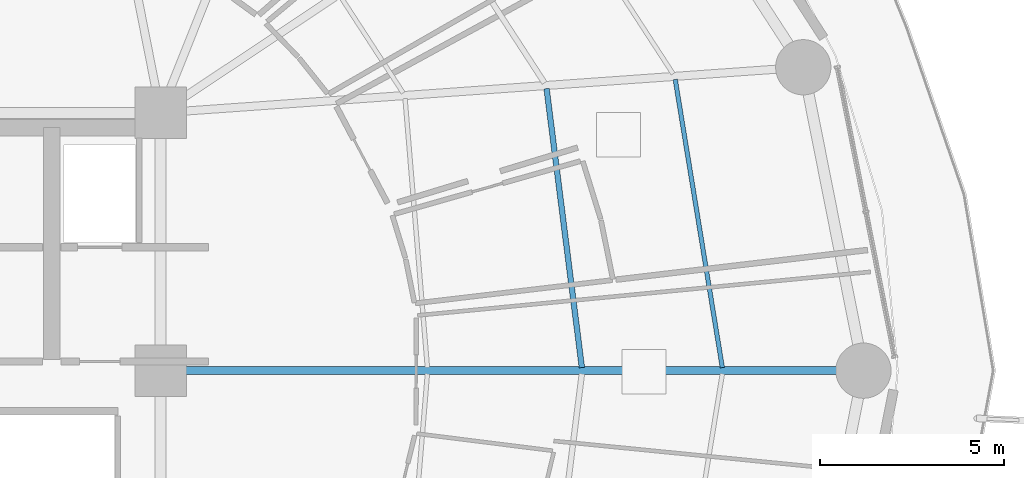
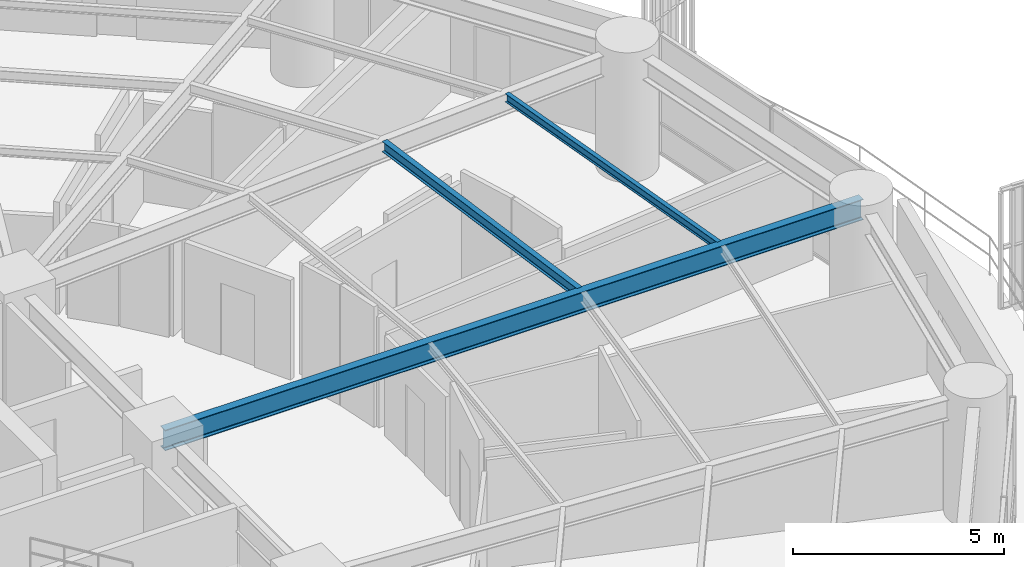
# One storey, part 13 of 33: 3 beams.
"""IFC4 building model written with IfcOpenShell, lengths in metres."""

from ifc_helpers import new_model, si_unit, direction, frame, origin, origin_2d, place, context, subcontext, project, spatial, i_section, extrude, material, material_profile, profile_set, type_object, element, save


model = new_model("IFC4")

# Units and contexts
model_context = context("Model", 3, precision=1e-05, world=origin(), true_north=direction((0.0, 1.0)))
body_context = subcontext(model_context, "Body", "Model", "MODEL_VIEW")
ifc_project = project(units=[si_unit("LENGTHUNIT", "METRE"), si_unit("AREAUNIT", "SQUARE_METRE"), si_unit("VOLUMEUNIT", "CUBIC_METRE"), si_unit("PLANEANGLEUNIT", "RADIAN"), si_unit("MASSUNIT", "GRAM", prefix="KILO")], contexts=[model_context])

# Site, building, storey
site_placement = place(None, origin())
site = spatial("IfcSite", under=ifc_project, at=site_placement, CompositionType="ELEMENT")
building_placement = place(site_placement, origin())
building = spatial("IfcBuilding", under=site, at=building_placement, Name="Kelanora Arch Commons", CompositionType="ELEMENT")
storey_placement = place(building_placement, frame((0.0, 0.0, 45.0)))
storey = spatial("IfcBuildingStorey", under=building, at=storey_placement, Name="L11", CompositionType="ELEMENT", Elevation=45.0)

# Beams
ifc_material = material(Name="Steel S355", Category="steel")
ifc_material_profile_1 = material_profile(ifc_material, i_section(OverallWidth=0.14990234375, OverallDepth=0.300048828125, WebThickness=0.007080078125, FlangeThickness=0.0107421875, FilletRadius=0.014892578125, at=origin_2d()), Name="IPE300")
ifc_profile_set_1 = profile_set([ifc_material_profile_1], Name="Steel S355")
beam_type_1 = type_object("IfcBeamType", Name="BM-JST-01", PredefinedType="JOIST", material=ifc_profile_set_1)
beam_1_placement = place(storey_placement, frame((93.437255859375, 58.084228515625, 3.340087890625), z_axis=(-0.125565841651, 0.992085288375, 0.0), x_axis=(-0.992085288375, -0.125565841651, 0.0)))
element("IfcBeam", 1, at=beam_1_placement, inside=storey, type_object=beam_type_1, Name="Secondary Chord Joist BJB-00 L11", PredefinedType="JOIST", context=body_context, shape_type="SweptSolid", body=[
    extrude(i_section(OverallWidth=0.14990234375, OverallDepth=0.300048828125, WebThickness=0.007080078125, FlangeThickness=0.0107421875, FilletRadius=0.014892578125, at=origin_2d()), origin(), (0.0, 0.0, 1.0), 7.63330078125),
])
ifc_material_profile_2 = material_profile(ifc_material, i_section(OverallWidth=0.1201171875, OverallDepth=0.239990234375, WebThickness=0.006103515625, FlangeThickness=0.009765625, FilletRadius=0.014892578125, at=origin_2d()), Name="IPE240")
ifc_profile_set_2 = profile_set([ifc_material_profile_2], Name="Steel S355")
beam_type_2 = type_object("IfcBeamType", Name="BM-JST-02", PredefinedType="JOIST", material=ifc_profile_set_2)
beam_2_placement = place(storey_placement, frame((97.250244140625, 58.083984375, 3.3701171875), z_axis=(-0.161400737199, 0.986888951216, 0.0), x_axis=(-0.986888951216, -0.161400737199, 0.0)))
element("IfcBeam", 2, at=beam_2_placement, inside=storey, type_object=beam_type_2, Name="Secondary Chord Joist BJC-00 L11", PredefinedType="JOIST", context=body_context, shape_type="SweptSolid", body=[
    extrude(i_section(OverallWidth=0.1201171875, OverallDepth=0.239990234375, WebThickness=0.006103515625, FlangeThickness=0.009765625, FilletRadius=0.014892578125, at=origin_2d()), origin(), (0.0, 0.0, 1.0), 7.9248046875),
])
ifc_material_profile_3 = material_profile(ifc_material, i_section(OverallWidth=0.219970703125, OverallDepth=0.60009765625, WebThickness=0.011962890625, FlangeThickness=0.01904296875, FilletRadius=0.02392578125, at=origin_2d()), Name="IPE600")
ifc_profile_set_3 = profile_set([ifc_material_profile_3], Name="Steel S355")
beam_type_3 = type_object("IfcBeamType", Name="BM-RAD-Z1", PredefinedType="BEAM", material=ifc_profile_set_3)
beam_3_placement = place(storey_placement, frame((82.0, 58.0, 3.18994140625), z_axis=(1.0, 0.0, 0.0), x_axis=(0.0, 1.0, 0.0)))
element("IfcBeam", 3, at=beam_3_placement, inside=storey, type_object=beam_type_3, Name="Radial Floor Girder BR-00 L11", PredefinedType="BEAM", context=body_context, shape_type="SweptSolid", body=[
    extrude(i_section(OverallWidth=0.219970703125, OverallDepth=0.60009765625, WebThickness=0.011962890625, FlangeThickness=0.01904296875, FilletRadius=0.02392578125, at=origin_2d()), origin(), (0.0, 0.0, 1.0), 19.080078125),
])

save(model, "model.ifc")
